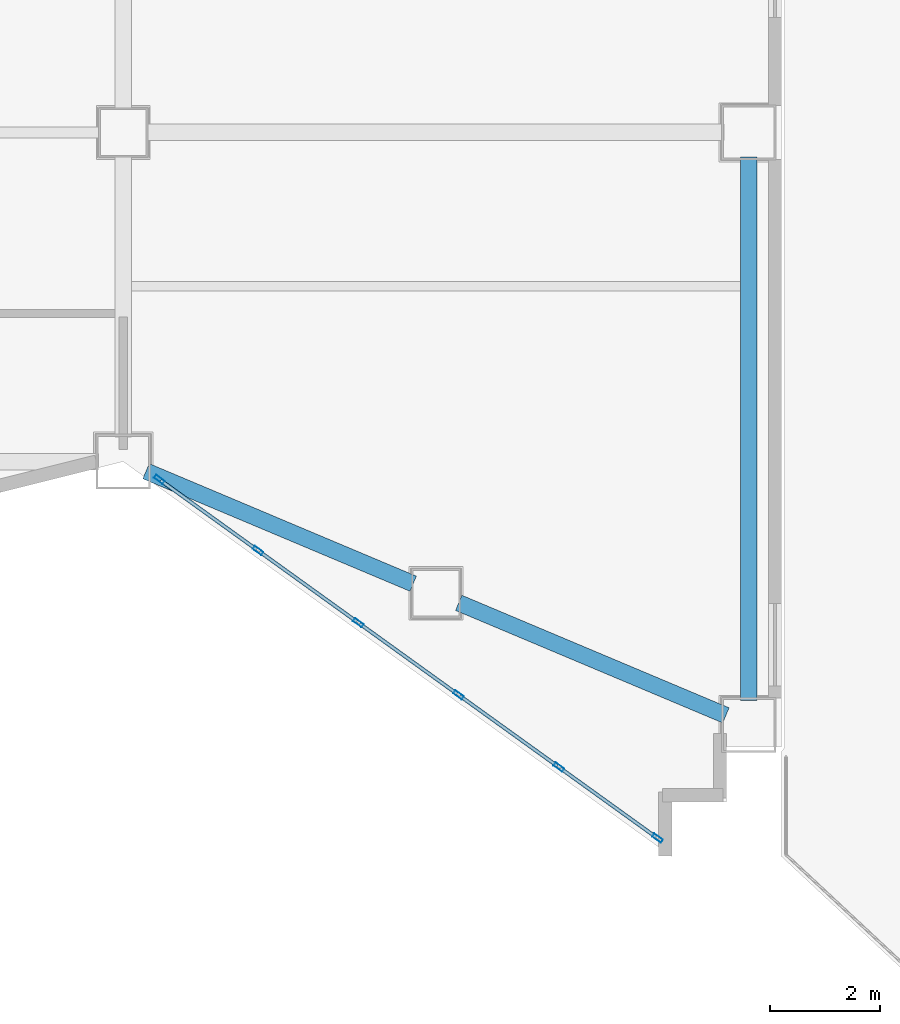
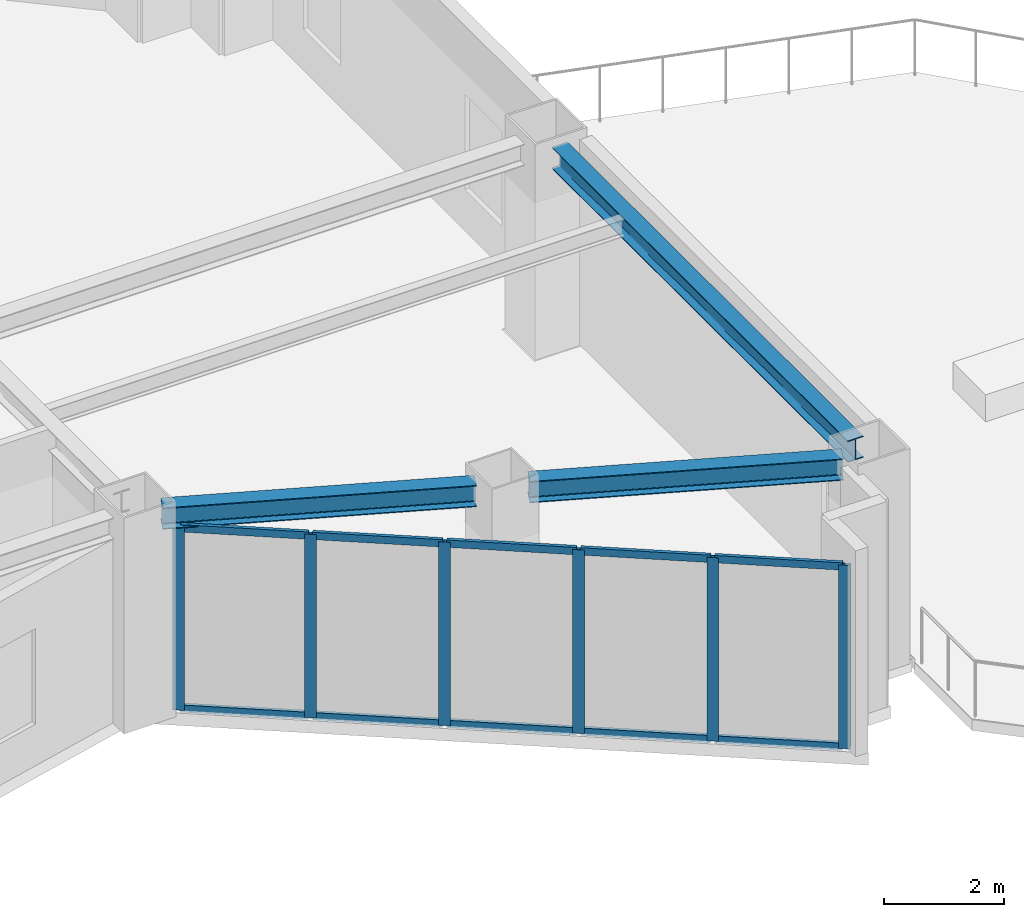
# One storey, part 7 of 19: 16 members, 3 beams, 1 element without a shape of its own.
"""IFC4 building model written with IfcOpenShell, lengths in metres."""

from ifc_helpers import new_model, si_unit, direction, frame, origin, origin_2d, place, context, subcontext, project, spatial, hollow_rectangle, i_section, extrude, material, layer, layer_set, material_profile, profile_set, type_object, element, aggregate, save


model = new_model("IFC4")

# Units and contexts
model_context = context("Model", 3, precision=1e-05, world=origin(), true_north=direction((0.0, 1.0)))
body_context = subcontext(model_context, "Body", "Model", "MODEL_VIEW")
ifc_project = project(units=[si_unit("LENGTHUNIT", "METRE"), si_unit("AREAUNIT", "SQUARE_METRE"), si_unit("VOLUMEUNIT", "CUBIC_METRE"), si_unit("PLANEANGLEUNIT", "RADIAN"), si_unit("MASSUNIT", "GRAM", prefix="KILO")], contexts=[model_context])

# Site, building, storey
site_placement = place(None, origin())
site = spatial("IfcSite", under=ifc_project, at=site_placement, CompositionType="ELEMENT")
building_placement = place(site_placement, origin())
building = spatial("IfcBuilding", under=site, at=building_placement, Name="Haolan Belvedere Tower", CompositionType="ELEMENT")
storey_placement = place(building_placement, frame((0.0, 0.0, 94.0)))
storey = spatial("IfcBuildingStorey", under=building, at=storey_placement, Name="L23", CompositionType="ELEMENT", Elevation=94.0)

# Beams
ifc_material_1 = material(Name="Steel Q355B", Category="steel")
ifc_material_profile_1 = material_profile(ifc_material_1, i_section(OverallWidth=0.300048828125, OverallDepth=0.43994140625, WebThickness=0.010986328125, FlangeThickness=0.01806640625, FilletRadius=0.02392578125, at=origin_2d()), Name="Steel Q355B")
ifc_profile_set_1 = profile_set([ifc_material_profile_1], Name="Steel Q355B")
beam_type = type_object("IfcBeamType", Name="BM-HM440x300x11x18", PredefinedType="SPANDREL", material=ifc_profile_set_1)
beam_placement = place(storey_placement, frame((64.199951171875, 17.25, 3.97998046875), z_axis=(0.0, 1.0, 0.0), x_axis=(-1.0, 0.0, 0.0)))
element("IfcBeam", 1, at=beam_placement, inside=storey, type_object=beam_type, Name="L23 spandrel girder MC-T4-SE-MC-T4-ME", PredefinedType="SPANDREL", context=body_context, shape_type="SweptSolid", body=[
    extrude(i_section(OverallWidth=0.300048828125, OverallDepth=0.43994140625, WebThickness=0.010986328125, FlangeThickness=0.01806640625, FilletRadius=0.02392578125, at=origin_2d()), origin(), (0.0, 0.0, 1.0), 9.89990234375),
])
for number, where, z_axis, x_axis, name in (
    (2, (53.21484375, 21.42529296875, 3.97998046875), (0.92162841793, -0.388073523014, 0.0), (0.388073523014, 0.92162841793, 0.0), "L23 spandrel girder MC-T3-SE-TC-T4-S1"),
    (3, (58.914794921875, 19.025390625, 3.97998046875), (0.92162841793, -0.388073523014, 0.0), (0.388073523014, 0.92162841793, 0.0), "L23 spandrel girder TC-T4-S1-MC-T4-SE"),
):
    element("IfcBeam", number, at=place(storey_placement, frame(where, z_axis=z_axis, x_axis=x_axis)), inside=storey, type_object=beam_type, Name=name, PredefinedType="SPANDREL", context=body_context, shape_type="SweptSolid", body=[
        extrude(i_section(OverallWidth=0.300048828125, OverallDepth=0.43994140625, WebThickness=0.010986328125, FlangeThickness=0.01806640625, FilletRadius=0.02392578125, at=origin_2d()), origin(), (0.0, 0.0, 1.0), 5.284423828125),
    ])

# Curtain wall, members
ifc_material_2 = material(Name="Anodised champagne-silver aluminium 6063-T6 and Low-E glass", Category="aluminium")
ifc_layer = layer(ifc_material_2, 0.195068359375, Name="Anodised champagne-silver aluminium 6063-T6 and Low-E glass")
ifc_layer_set = layer_set([ifc_layer], Name="Anodised champagne-silver aluminium 6063-T6 and Low-E glass")
curtain_wall_type = type_object("IfcCurtainWallType", Name="CW-SYS-06", PredefinedType="NOTDEFINED", material=ifc_layer_set)
curtain_wall_placement = place(storey_placement, origin())
curtain_wall = element("IfcCurtainWall", 4, at=curtain_wall_placement, inside=storey, type_object=curtain_wall_type, Name="L23 CW-SYS-06 ribbon curtain wall 9.1", PredefinedType="NOTDEFINED")
ifc_material_3 = material(Name="Anodised aluminium 6063-T6", Category="aluminium")
ifc_material_profile_2 = material_profile(ifc_material_3, hollow_rectangle(XDim=0.070068359375, YDim=0.195068359375, WallThickness=0.00390625, at=origin_2d()), Name="Anodised aluminium 6063-T6")
ifc_profile_set_2 = profile_set([ifc_material_profile_2], Name="Anodised aluminium 6063-T6")
member_type_1 = type_object("IfcMemberType", Name="CW-SYS-06-MUL", PredefinedType="MULLION", material=ifc_profile_set_2)
member_1_placement = place(storey_placement, frame((53.456787109375, 21.27490234375, 0.0), z_axis=(0.0, 0.0, 1.0), x_axis=(0.584297005385, 0.811539900127, 0.0)))
member_1 = element("IfcMember", 5, at=member_1_placement, type_object=member_type_1, Name="CW-06 mullion 1", PredefinedType="MULLION", context=body_context, shape_type="SweptSolid", body=[
    extrude(hollow_rectangle(XDim=0.070068359375, YDim=0.195068359375, WallThickness=0.00390625, at=origin_2d()), origin(), (0.0, 0.0, 1.0), 3.7451171875),
])
member_2_placement = place(storey_placement, frame((55.255859375, 19.9794921875, 0.0), z_axis=(0.0, 0.0, 1.0), x_axis=(0.584297005385, 0.811539900127, 0.0)))
member_2 = element("IfcMember", 6, at=member_2_placement, type_object=member_type_1, Name="CW-06 mullion 2", PredefinedType="MULLION", context=body_context, shape_type="SweptSolid", body=[
    extrude(hollow_rectangle(XDim=0.070068359375, YDim=0.195068359375, WallThickness=0.00390625, at=origin_2d()), origin(), (0.0, 0.0, 1.0), 3.7451171875),
])
member_3_placement = place(storey_placement, frame((57.08349609375, 18.66357421875, 0.0), z_axis=(0.0, 0.0, 1.0), x_axis=(0.584297005385, 0.811539900127, 0.0)))
member_3 = element("IfcMember", 7, at=member_3_placement, type_object=member_type_1, Name="CW-06 mullion 3", PredefinedType="MULLION", context=body_context, shape_type="SweptSolid", body=[
    extrude(hollow_rectangle(XDim=0.070068359375, YDim=0.195068359375, WallThickness=0.00390625, at=origin_2d()), origin(), (0.0, 0.0, 1.0), 3.7451171875),
])
member_4_placement = place(storey_placement, frame((58.9111328125, 17.347900390625, 0.0), z_axis=(0.0, 0.0, 1.0), x_axis=(0.584297005385, 0.811539900127, 0.0)))
member_4 = element("IfcMember", 8, at=member_4_placement, type_object=member_type_1, Name="CW-06 mullion 4", PredefinedType="MULLION", context=body_context, shape_type="SweptSolid", body=[
    extrude(hollow_rectangle(XDim=0.070068359375, YDim=0.195068359375, WallThickness=0.00390625, at=origin_2d()), origin(), (0.0, 0.0, 1.0), 3.7451171875),
])
member_5_placement = place(storey_placement, frame((60.73876953125, 16.031982421875, 0.0), z_axis=(0.0, 0.0, 1.0), x_axis=(0.584297005385, 0.811539900127, 0.0)))
member_5 = element("IfcMember", 9, at=member_5_placement, type_object=member_type_1, Name="CW-06 mullion 5", PredefinedType="MULLION", context=body_context, shape_type="SweptSolid", body=[
    extrude(hollow_rectangle(XDim=0.070068359375, YDim=0.195068359375, WallThickness=0.00390625, at=origin_2d()), origin(), (0.0, 0.0, 1.0), 3.7451171875),
])
member_6_placement = place(storey_placement, frame((62.5380859375, 14.736572265625, 0.0), z_axis=(0.0, 0.0, 1.0), x_axis=(0.584297005385, 0.811539900127, 0.0)))
member_6 = element("IfcMember", 10, at=member_6_placement, type_object=member_type_1, Name="CW-06 mullion 6", PredefinedType="MULLION", context=body_context, shape_type="SweptSolid", body=[
    extrude(hollow_rectangle(XDim=0.070068359375, YDim=0.195068359375, WallThickness=0.00390625, at=origin_2d()), origin(), (0.0, 0.0, 1.0), 3.7451171875),
])
ifc_material_profile_3 = material_profile(ifc_material_3, hollow_rectangle(XDim=0.06494140625, YDim=0.14990234375, WallThickness=0.00390625, at=origin_2d()), Name="Anodised aluminium 6063-T6")
ifc_profile_set_3 = profile_set([ifc_material_profile_3], Name="Anodised aluminium 6063-T6")
member_type_2 = type_object("IfcMemberType", Name="CW-SYS-06-TRN", PredefinedType="USERDEFINED", material=ifc_profile_set_3)
member_7_placement = place(storey_placement, frame((53.485107421875, 21.25439453125, 0.032470703125), z_axis=(0.81156884932, -0.584256795265, 0.0), x_axis=(0.584256795265, 0.81156884932, 0.0)))
member_7 = element("IfcMember", 11, at=member_7_placement, type_object=member_type_2, Name="CW-06 transom 1.1", ObjectType="TRANSOM", PredefinedType="USERDEFINED", context=body_context, shape_type="SweptSolid", body=[
    extrude(hollow_rectangle(XDim=0.06494140625, YDim=0.14990234375, WallThickness=0.00390625, at=origin_2d()), origin(), (0.0, 0.0, 1.0), 2.14697265625),
])
member_8_placement = place(storey_placement, frame((53.485107421875, 21.25439453125, 3.71240234375), z_axis=(0.81156884932, -0.584256795265, 0.0), x_axis=(0.584256795265, 0.81156884932, 0.0)))
member_8 = element("IfcMember", 12, at=member_8_placement, type_object=member_type_2, Name="CW-06 transom 1.2", ObjectType="TRANSOM", PredefinedType="USERDEFINED", context=body_context, shape_type="SweptSolid", body=[
    extrude(hollow_rectangle(XDim=0.06494140625, YDim=0.14990234375, WallThickness=0.00390625, at=origin_2d()), origin(), (0.0, 0.0, 1.0), 2.14697265625),
])
member_9_placement = place(storey_placement, frame((55.284423828125, 19.958984375, 0.032470703125), z_axis=(0.811542830435, -0.58429293541, 0.0), x_axis=(0.58429293541, 0.811542830435, 0.0)))
member_9 = element("IfcMember", 13, at=member_9_placement, type_object=member_type_2, Name="CW-06 transom 2.1", ObjectType="TRANSOM", PredefinedType="USERDEFINED", context=body_context, shape_type="SweptSolid", body=[
    extrude(hollow_rectangle(XDim=0.06494140625, YDim=0.14990234375, WallThickness=0.00390625, at=origin_2d()), origin(), (0.0, 0.0, 1.0), 2.181884765625),
])
member_10_placement = place(storey_placement, frame((55.284423828125, 19.958984375, 3.71240234375), z_axis=(0.811542830435, -0.58429293541, 0.0), x_axis=(0.58429293541, 0.811542830435, 0.0)))
member_10 = element("IfcMember", 14, at=member_10_placement, type_object=member_type_2, Name="CW-06 transom 2.2", ObjectType="TRANSOM", PredefinedType="USERDEFINED", context=body_context, shape_type="SweptSolid", body=[
    extrude(hollow_rectangle(XDim=0.06494140625, YDim=0.14990234375, WallThickness=0.00390625, at=origin_2d()), origin(), (0.0, 0.0, 1.0), 2.181884765625),
])
member_11_placement = place(storey_placement, frame((57.112060546875, 18.643310546875, 0.032470703125), z_axis=(0.811489774394, -0.584366619559, 0.0), x_axis=(0.584366619559, 0.811489774394, 0.0)))
member_11 = element("IfcMember", 15, at=member_11_placement, type_object=member_type_2, Name="CW-06 transom 3.1", ObjectType="TRANSOM", PredefinedType="USERDEFINED", context=body_context, shape_type="SweptSolid", body=[
    extrude(hollow_rectangle(XDim=0.06494140625, YDim=0.14990234375, WallThickness=0.00390625, at=origin_2d()), origin(), (0.0, 0.0, 1.0), 2.18212890625),
])
member_12_placement = place(storey_placement, frame((57.112060546875, 18.643310546875, 3.71240234375), z_axis=(0.811489774394, -0.584366619559, 0.0), x_axis=(0.584366619559, 0.811489774394, 0.0)))
member_12 = element("IfcMember", 16, at=member_12_placement, type_object=member_type_2, Name="CW-06 transom 3.2", ObjectType="TRANSOM", PredefinedType="USERDEFINED", context=body_context, shape_type="SweptSolid", body=[
    extrude(hollow_rectangle(XDim=0.06494140625, YDim=0.14990234375, WallThickness=0.00390625, at=origin_2d()), origin(), (0.0, 0.0, 1.0), 2.18212890625),
])
member_13_placement = place(storey_placement, frame((58.939453125, 17.327392578125, 0.032470703125), z_axis=(0.8115810245, -0.584239882815, 0.0), x_axis=(0.584239882815, 0.8115810245, 0.0)))
member_13 = element("IfcMember", 17, at=member_13_placement, type_object=member_type_2, Name="CW-06 transom 4.1", ObjectType="TRANSOM", PredefinedType="USERDEFINED", context=body_context, shape_type="SweptSolid", body=[
    extrude(hollow_rectangle(XDim=0.06494140625, YDim=0.14990234375, WallThickness=0.00390625, at=origin_2d()), origin(), (0.0, 0.0, 1.0), 2.18212890625),
])
member_14_placement = place(storey_placement, frame((58.939453125, 17.327392578125, 3.71240234375), z_axis=(0.8115810245, -0.584239882815, 0.0), x_axis=(0.584239882815, 0.8115810245, 0.0)))
member_14 = element("IfcMember", 18, at=member_14_placement, type_object=member_type_2, Name="CW-06 transom 4.2", ObjectType="TRANSOM", PredefinedType="USERDEFINED", context=body_context, shape_type="SweptSolid", body=[
    extrude(hollow_rectangle(XDim=0.06494140625, YDim=0.14990234375, WallThickness=0.00390625, at=origin_2d()), origin(), (0.0, 0.0, 1.0), 2.18212890625),
])
member_15_placement = place(storey_placement, frame((60.76708984375, 16.011474609375, 0.032470703125), z_axis=(0.81156884932, -0.584256795265, 0.0), x_axis=(0.584256795265, 0.81156884932, 0.0)))
member_15 = element("IfcMember", 19, at=member_15_placement, type_object=member_type_2, Name="CW-06 transom 5.1", ObjectType="TRANSOM", PredefinedType="USERDEFINED", context=body_context, shape_type="SweptSolid", body=[
    extrude(hollow_rectangle(XDim=0.06494140625, YDim=0.14990234375, WallThickness=0.00390625, at=origin_2d()), origin(), (0.0, 0.0, 1.0), 2.14697265625),
])
member_16_placement = place(storey_placement, frame((60.76708984375, 16.011474609375, 3.71240234375), z_axis=(0.81156884932, -0.584256795265, 0.0), x_axis=(0.584256795265, 0.81156884932, 0.0)))
member_16 = element("IfcMember", 20, at=member_16_placement, type_object=member_type_2, Name="CW-06 transom 5.2", ObjectType="TRANSOM", PredefinedType="USERDEFINED", context=body_context, shape_type="SweptSolid", body=[
    extrude(hollow_rectangle(XDim=0.06494140625, YDim=0.14990234375, WallThickness=0.00390625, at=origin_2d()), origin(), (0.0, 0.0, 1.0), 2.14697265625),
])
aggregate(curtain_wall, [member_1, member_2, member_3, member_4, member_5, member_6, member_7, member_8, member_9, member_10, member_11, member_12, member_13, member_14, member_15, member_16])

save(model, "model.ifc")
